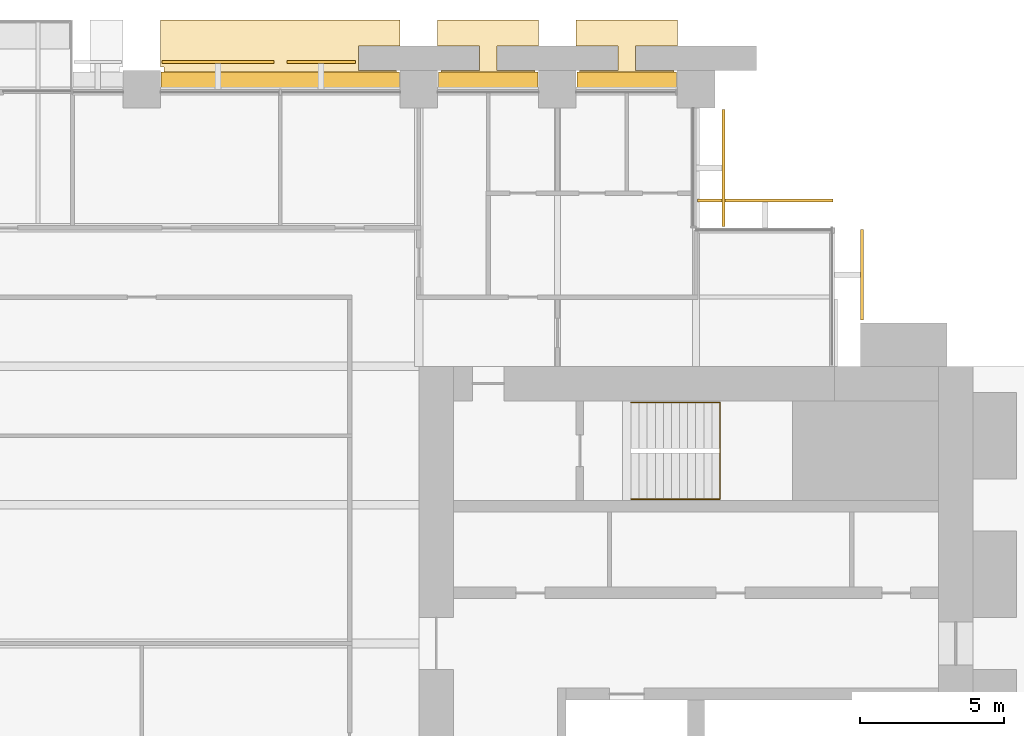
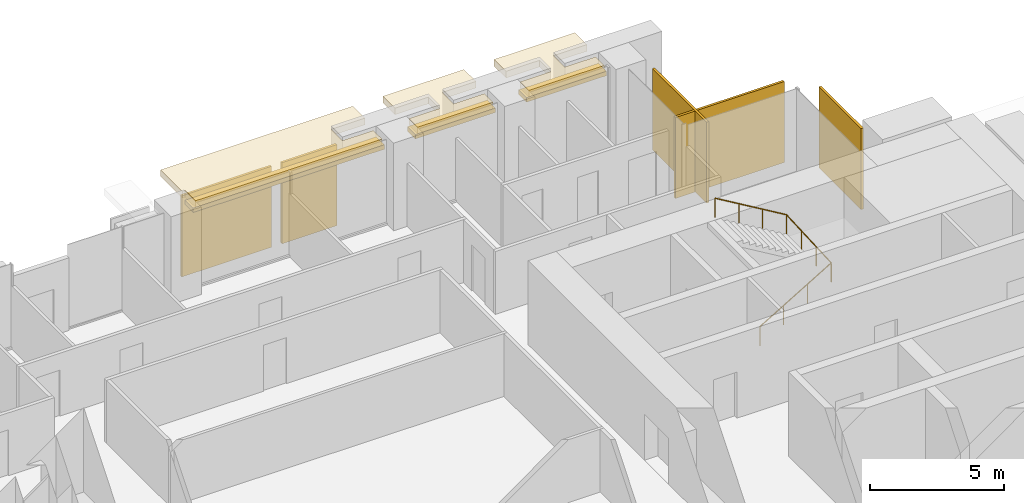
# One storey, part 15 of 15: 8 coverings, 3 shading devices, 1 railing.
"""IFC4 building model written with IfcOpenShell, lengths in metres."""

from ifc_helpers import new_model, si_unit, direction, frame, origin, origin_2d, place, context, subcontext, project, spatial, polyline, rectangle, circle, outline, extrude, material, layer, layer_set, type_object, element, save


model = new_model("IFC4")

# Units and contexts
model_context = context("Model", 3, precision=1e-05, world=origin(), true_north=direction((0.0, 1.0)))
body_context = subcontext(model_context, "Body", "Model", "MODEL_VIEW")
ifc_project = project(units=[si_unit("LENGTHUNIT", "METRE"), si_unit("AREAUNIT", "SQUARE_METRE"), si_unit("VOLUMEUNIT", "CUBIC_METRE"), si_unit("PLANEANGLEUNIT", "RADIAN"), si_unit("MASSUNIT", "GRAM", prefix="KILO")], contexts=[model_context])

# Site, building, storey
site_placement = place(None, origin())
site = spatial("IfcSite", under=ifc_project, at=site_placement, CompositionType="ELEMENT")
building_placement = place(site_placement, origin())
building = spatial("IfcBuilding", under=site, at=building_placement, Name="Baori Bourse Tower", CompositionType="ELEMENT")
storey_placement = place(building_placement, frame((0.0, 0.0, 71.0)))
storey = spatial("IfcBuildingStorey", under=building, at=storey_placement, Name="L15", CompositionType="ELEMENT", Elevation=71.0)

# Coverings
ifc_material_1 = material(Name="Pale anodised aluminium", Category="aluminium")
covering_type_1 = type_object("IfcCoveringType", Name="BD1 Pale metal band", PredefinedType="CLADDING", material=ifc_material_1)
covering_1_placement = place(storey_placement, frame((0.0, 0.0, 3.5400390625)))
element("IfcCovering", 1, at=covering_1_placement, inside=storey, type_object=covering_type_1, Name="Pale projecting band L15 2", PredefinedType="CLADDING", context=body_context, shape_type="SweptSolid", body=[
    extrude(outline(polyline([(43.969970703125, 48.0), (47.22998046875, 48.0), (47.22998046875, 48.64990234375), (45.89990234375, 48.64990234375), (45.89990234375, 49.5), (47.35009765625, 49.5), (47.35009765625, 50.39990234375), (43.85009765625, 50.39990234375), (43.85009765625, 49.5), (45.300048828125, 49.5), (45.300048828125, 48.64990234375), (43.969970703125, 48.64990234375), (43.969970703125, 48.0)])), origin(), (0.0, 0.0, 1.0), 0.300048828125),
])
covering_2_placement = place(storey_placement, frame((0.0, 0.0, 3.5400390625)))
element("IfcCovering", 2, at=covering_2_placement, inside=storey, type_object=covering_type_1, Name="Pale projecting band L15 3", PredefinedType="CLADDING", context=body_context, shape_type="SweptSolid", body=[
    extrude(outline(polyline([(39.169921875, 48.0), (42.429931640625, 48.0), (42.429931640625, 48.64990234375), (41.10009765625, 48.64990234375), (41.10009765625, 49.5), (42.550048828125, 49.5), (42.550048828125, 50.39990234375), (39.050048828125, 50.39990234375), (39.050048828125, 49.5), (40.5, 49.5), (40.5, 48.64990234375), (39.169921875, 48.64990234375), (39.169921875, 48.0)])), origin(), (0.0, 0.0, 1.0), 0.300048828125),
])
covering_3_placement = place(storey_placement, frame((0.0, 0.0, 3.5400390625)))
element("IfcCovering", 3, at=covering_3_placement, inside=storey, type_object=covering_type_1, Name="Pale projecting band L15 4", PredefinedType="CLADDING", context=body_context, shape_type="SweptSolid", body=[
    extrude(outline(polyline([(29.570068359375, 48.0), (37.6298828125, 48.0), (37.6298828125, 48.64990234375), (36.300048828125, 48.64990234375), (36.300048828125, 49.5), (37.75, 49.5), (37.75, 50.39990234375), (29.449951171875, 50.39990234375), (29.449951171875, 48.77001953125), (29.570068359375, 48.77001953125), (29.570068359375, 48.0)])), origin(), (0.0, 0.0, 1.0), 0.300048828125),
])

# Shading devices
ifc_material_2 = material(Name="Concrete f'c 40 MPa", Category="concrete")
ifc_layer_1 = layer(ifc_material_2, 0.199951171875)
ifc_layer_set_1 = layer_set([ifc_layer_1], Name="BS1 Brise-soleil ledge")
shading_device_type = type_object("IfcShadingDeviceType", Name="BS1 Brise-soleil ledge", PredefinedType="USERDEFINED", material=ifc_layer_set_1)
for number, where, z_axis, x_axis, name in (
    (4, (45.60009765625, 48.300048828125, 3.33984375), (0.0, 0.0, 1.0), (-1.0, 0.0, 0.0), "Brise-soleil ledge L15 1"),
    (5, (40.800048828125, 48.300048828125, 3.33984375), (0.0, 0.0, 1.0), (-1.0, 0.0, 0.0), "Brise-soleil ledge L15 2"),
):
    element("IfcShadingDevice", number, at=place(storey_placement, frame(where, z_axis=z_axis, x_axis=x_axis)), inside=storey, type_object=shading_device_type, Name=name, ObjectType="BRISE SOLEIL", PredefinedType="USERDEFINED", context=body_context, shape_type="SweptSolid", body=[
        extrude(rectangle(XDim=3.4599609375, YDim=0.60009765625, at=origin_2d()), origin(), (0.0, 0.0, 1.0), 0.199951171875),
    ])
shading_device_placement = place(storey_placement, frame((33.60009765625, 48.300048828125, 3.33984375), z_axis=(0.0, 0.0, 1.0), x_axis=(-1.0, 0.0, 0.0)))
element("IfcShadingDevice", 6, at=shading_device_placement, inside=storey, type_object=shading_device_type, Name="Brise-soleil ledge L15 3", ObjectType="BRISE SOLEIL", PredefinedType="USERDEFINED", context=body_context, shape_type="SweptSolid", body=[
    extrude(rectangle(XDim=8.260009765625, YDim=0.60009765625, at=origin_2d()), origin(), (0.0, 0.0, 1.0), 0.199951171875),
])

# Railing
ifc_material_3 = material(Name="Powder-coated steel balustrade", Category="steel")
railing_type = type_object("IfcRailingType", Name="Core stair handrail", PredefinedType="HANDRAIL", material=ifc_material_3)
railing_placement = place(storey_placement, frame((45.75, 33.800048828125, 0.166748046875)))
element("IfcRailing", 7, at=railing_placement, inside=storey, type_object=railing_type, Name="L15 ST4 stair handrail 1", PredefinedType="HANDRAIL", context=body_context, shape_type="SweptSolid", body=[
    extrude(circle(Radius=0.02392578125, at=origin_2d()), frame((0.0, 0.0, 0.8759765625), z_axis=(0.859308565015, 0.0, 0.511457515432), x_axis=(0.0, 1.0, 0.0)), (0.0, 0.0, 1.0), 3.58447265625),
    extrude(circle(Radius=0.02392578125, at=origin_2d()), frame((3.080078125, 0.0, 2.708984375), z_axis=(0.0, 0.998763387249, 0.04971615724), x_axis=(-1.0, 0.0, 0.0)), (0.0, 0.0, 1.0), 3.35400390625),
    extrude(circle(Radius=0.02392578125, at=origin_2d()), frame((3.080078125, 3.349853515625, 2.8759765625), z_axis=(-0.859308565015, 0.0, 0.511457515432), x_axis=(0.0, -1.0, 0.0)), (0.0, 0.0, 1.0), 3.58447265625),
    extrude(circle(Radius=0.02099609375, at=origin_2d()), origin(), (0.0, 0.0, 1.0), 0.851806640625),
    extrude(circle(Radius=0.02099609375, at=origin_2d()), frame((1.026611328125, 0.0, 0.611083984375)), (0.0, 0.0, 1.0), 0.851806640625),
    extrude(circle(Radius=0.02099609375, at=origin_2d()), frame((2.053466796875, 0.0, 1.22216796875)), (0.0, 0.0, 1.0), 0.851806640625),
    extrude(circle(Radius=0.02099609375, at=origin_2d()), frame((3.080078125, 0.0, 1.833251953125)), (0.0, 0.0, 1.0), 0.851806640625),
    extrude(circle(Radius=0.02099609375, at=origin_2d()), frame((3.080078125, 1.11669921875, 1.888916015625)), (0.0, 0.0, 1.0), 0.851806640625),
    extrude(circle(Radius=0.02099609375, at=origin_2d()), frame((3.080078125, 2.233154296875, 1.9443359375)), (0.0, 0.0, 1.0), 0.851806640625),
    extrude(circle(Radius=0.02099609375, at=origin_2d()), frame((3.080078125, 3.349853515625, 2.0)), (0.0, 0.0, 1.0), 0.851806640625),
    extrude(circle(Radius=0.02099609375, at=origin_2d()), frame((2.053466796875, 3.349853515625, 2.611083984375)), (0.0, 0.0, 1.0), 0.851806640625),
    extrude(circle(Radius=0.02099609375, at=origin_2d()), frame((1.026611328125, 3.349853515625, 3.22216796875)), (0.0, 0.0, 1.0), 0.851806640625),
    extrude(circle(Radius=0.02099609375, at=origin_2d()), frame((0.0, 3.349853515625, 3.833251953125)), (0.0, 0.0, 1.0), 0.851806640625),
])

# Coverings
ifc_material_4 = material(Name="Pale anodised aluminium", Category="aluminium")
ifc_layer_2 = layer(ifc_material_4, 0.10009765625)
ifc_layer_set_2 = layer_set([ifc_layer_2], Name="OS3 Outer skin screen panel")
covering_type_2 = type_object("IfcCoveringType", Name="OS3 Outer skin screen panel", PredefinedType="CLADDING", material=ifc_layer_set_2)
covering_4_placement = place(storey_placement, frame((0.0, 0.0, -0.159912109375)))
element("IfcCovering", 8, at=covering_4_placement, inside=storey, type_object=covering_type_2, Name="Outer skin screen L15 1", PredefinedType="CLADDING", context=body_context, shape_type="SweptSolid", body=[
    extrude(outline(polyline([(53.699951171875, 43.14990234375), (53.699951171875, 40.0), (53.800048828125, 40.0), (53.800048828125, 43.14990234375), (53.699951171875, 43.14990234375)])), origin(), (0.0, 0.0, 1.0), 3.699951171875),
])
covering_5_placement = place(storey_placement, frame((0.0, 0.0, -0.159912109375)))
element("IfcCovering", 9, at=covering_5_placement, inside=storey, type_object=covering_type_2, Name="Outer skin screen L15 2", PredefinedType="CLADDING", context=body_context, shape_type="SweptSolid", body=[
    extrude(outline(polyline([(48.050048828125, 44.10009765625), (52.75, 44.10009765625), (52.75, 44.199951171875), (48.050048828125, 44.199951171875), (48.050048828125, 44.10009765625)])), origin(), (0.0, 0.0, 1.0), 3.699951171875),
])
covering_6_placement = place(storey_placement, frame((0.0, 0.0, -0.159912109375)))
element("IfcCovering", 10, at=covering_6_placement, inside=storey, type_object=covering_type_2, Name="Outer skin screen L15 3", PredefinedType="CLADDING", context=body_context, shape_type="SweptSolid", body=[
    extrude(outline(polyline([(48.89990234375, 47.300048828125), (48.89990234375, 43.25), (49.0, 43.25), (49.0, 47.300048828125), (48.89990234375, 47.300048828125)])), origin(), (0.0, 0.0, 1.0), 3.699951171875),
])
covering_7_placement = place(storey_placement, frame((0.0, 0.0, -0.159912109375)))
element("IfcCovering", 11, at=covering_7_placement, inside=storey, type_object=covering_type_2, Name="Outer skin screen L15 4", PredefinedType="CLADDING", context=body_context, shape_type="SweptSolid", body=[
    extrude(outline(polyline([(33.824951171875, 48.89990234375), (36.199951171875, 48.89990234375), (36.199951171875, 49.0), (33.824951171875, 49.0), (33.824951171875, 48.89990234375)])), origin(), (0.0, 0.0, 1.0), 3.699951171875),
])
covering_8_placement = place(storey_placement, frame((0.0, 0.0, -0.159912109375)))
element("IfcCovering", 12, at=covering_8_placement, inside=storey, type_object=covering_type_2, Name="Outer skin screen L15 5", PredefinedType="CLADDING", context=body_context, shape_type="SweptSolid", body=[
    extrude(outline(polyline([(29.5, 48.89990234375), (33.375, 48.89990234375), (33.375, 49.0), (29.5, 49.0), (29.5, 48.89990234375)])), origin(), (0.0, 0.0, 1.0), 3.699951171875),
])

save(model, "model.ifc")
